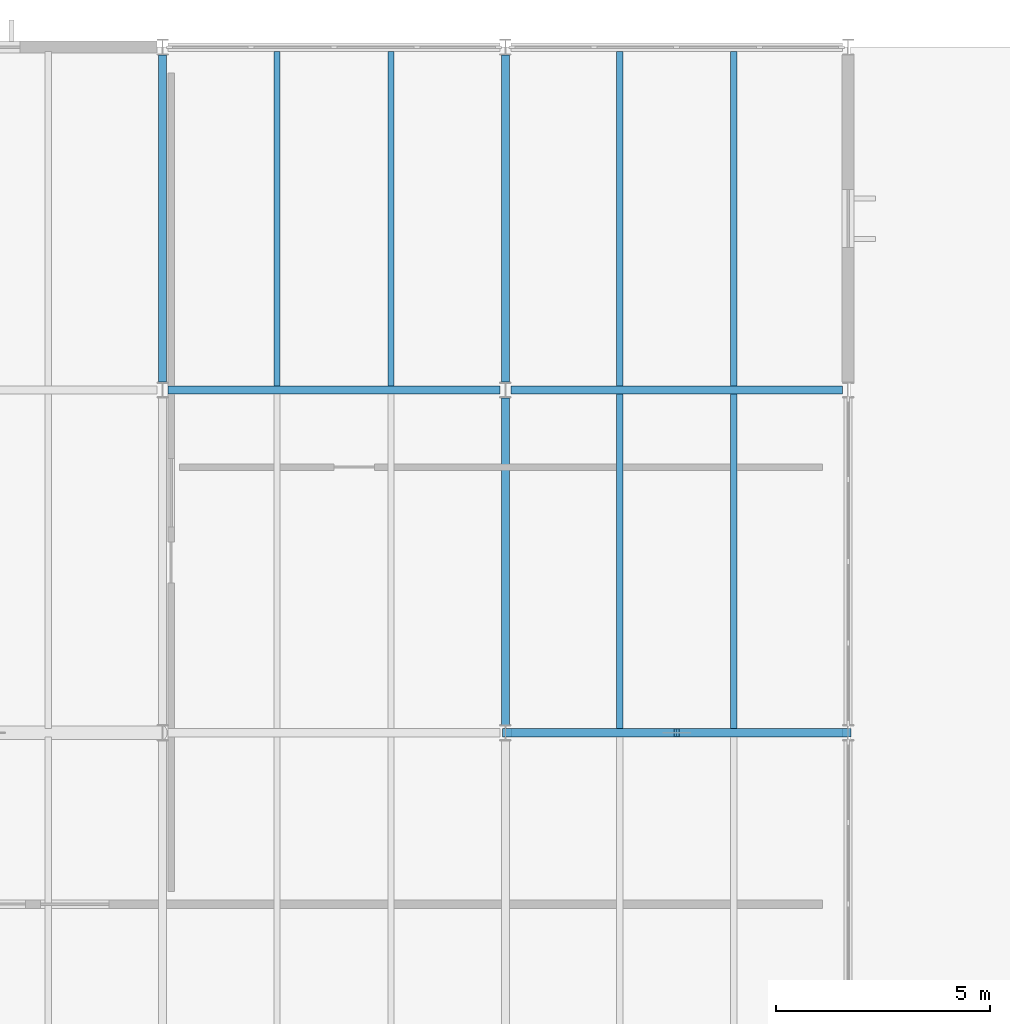
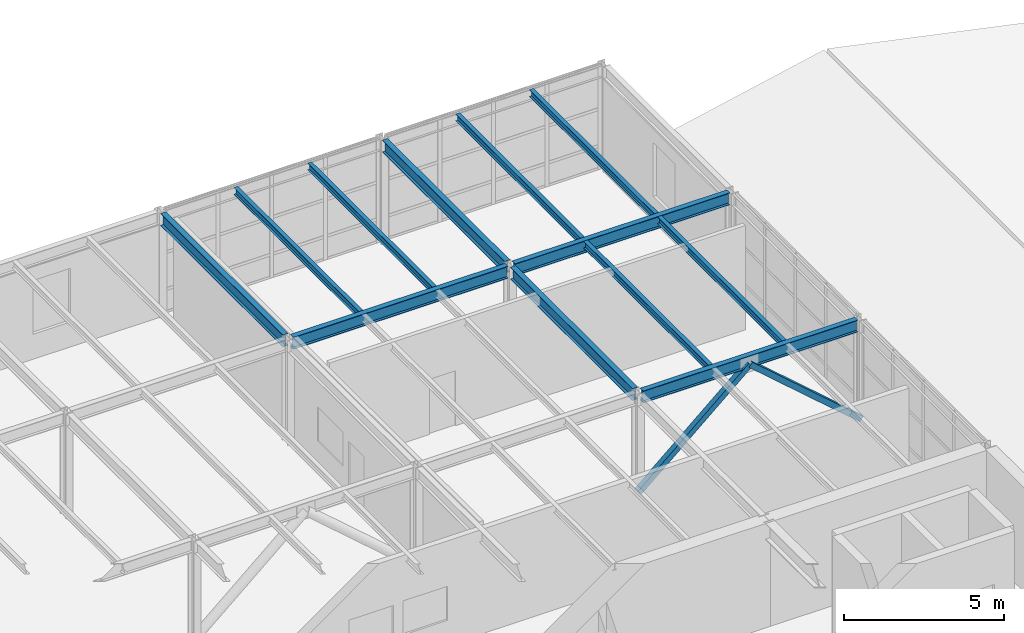
# One storey, part 10 of 20: 12 beams, 2 members.
"""IFC4 building model written with IfcOpenShell, lengths in metres."""

from ifc_helpers import new_model, si_unit, direction, frame, origin, origin_2d, place, context, subcontext, project, spatial, hollow_rectangle, i_section, extrude, material, material_profile, profile_set, type_object, element, save


model = new_model("IFC4")

# Units and contexts
model_context = context("Model", 3, precision=1e-05, world=origin(), true_north=direction((0.0, 1.0)))
body_context = subcontext(model_context, "Body", "Model", "MODEL_VIEW")
ifc_project = project(units=[si_unit("LENGTHUNIT", "METRE"), si_unit("AREAUNIT", "SQUARE_METRE"), si_unit("VOLUMEUNIT", "CUBIC_METRE"), si_unit("PLANEANGLEUNIT", "RADIAN"), si_unit("MASSUNIT", "GRAM", prefix="KILO")], contexts=[model_context])

# Site, building, storey
site_placement = place(None, origin())
site = spatial("IfcSite", under=ifc_project, at=site_placement, CompositionType="ELEMENT")
building_placement = place(site_placement, origin())
building = spatial("IfcBuilding", under=site, at=building_placement, Name="Varnela Railside Interchange", CompositionType="ELEMENT")
storey_placement = place(building_placement, frame((0.0, 0.0, 28.0)))
storey = spatial("IfcBuildingStorey", under=building, at=storey_placement, Name="L06", CompositionType="ELEMENT", Elevation=28.0)

# Beams
ifc_material = material(Name="Steel AR 350 (350 MPa)", Category="steel")
ifc_material_profile_1 = material_profile(ifc_material, i_section(OverallWidth=0.14794921875, OverallDepth=0.26611328125, WebThickness=0.007568359375, FlangeThickness=0.012939453125, at=origin_2d()), Name="W250x44.8")
ifc_profile_set_1 = profile_set([ifc_material_profile_1], Name="Steel AR 350 (350 MPa)")
beam_type_1 = type_object("IfcBeamType", Name="Composite Floor Joist J-05", PredefinedType="JOIST", material=ifc_profile_set_1)
for number, where, z_axis, x_axis, name in (
    (1, (22.669921875, 86.095947265625, 3.846923828125), (0.0, 1.0, 0.0), (-1.0, 0.0, 0.0), "Composite Floor Joist J-05 (L06) (BM-2660)"),
    (2, (25.330078125, 86.095947265625, 3.846923828125), (0.0, 1.0, 0.0), (-1.0, 0.0, 0.0), "Composite Floor Joist J-05 (L06) (BM-2661)"),
    (3, (30.669921875, 78.095947265625, 3.846923828125), (0.0, 1.0, 0.0), (-1.0, 0.0, 0.0), "Composite Floor Joist J-05 (L06) (BM-2674)"),
    (4, (33.330078125, 78.095947265625, 3.846923828125), (0.0, 1.0, 0.0), (-1.0, 0.0, 0.0), "Composite Floor Joist J-05 (L06) (BM-2675)"),
    (5, (30.669921875, 86.095947265625, 3.846923828125), (0.0, 1.0, 0.0), (-1.0, 0.0, 0.0), "Composite Floor Joist J-05 (L06) (BM-2668)"),
    (6, (33.330078125, 86.095947265625, 3.846923828125), (0.0, 1.0, 0.0), (-1.0, 0.0, 0.0), "Composite Floor Joist J-05 (L06) (BM-2669)"),
):
    element("IfcBeam", number, at=place(storey_placement, frame(where, z_axis=z_axis, x_axis=x_axis)), inside=storey, type_object=beam_type_1, Name=name, PredefinedType="JOIST", context=body_context, shape_type="SweptSolid", body=[
        extrude(i_section(OverallWidth=0.14794921875, OverallDepth=0.26611328125, WebThickness=0.007568359375, FlangeThickness=0.012939453125, at=origin_2d()), origin(), (0.0, 0.0, 1.0), 7.80810546875),
    ])
ifc_material_profile_2 = material_profile(ifc_material, i_section(OverallWidth=0.19189453125, OverallDepth=0.462890625, WebThickness=0.010498046875, FlangeThickness=0.017578125, at=origin_2d()), Name="W460x89")
ifc_profile_set_2 = profile_set([ifc_material_profile_2], Name="Steel AR 350 (350 MPa)")
beam_type_2 = type_object("IfcBeamType", Name="Composite Primary Beam B-20", PredefinedType="BEAM", material=ifc_profile_set_2)
beam_1_placement = place(storey_placement, frame((20.12841796875, 86.0, 3.74853515625), z_axis=(1.0, 0.0, 0.0), x_axis=(0.0, 1.0, 0.0)))
element("IfcBeam", 7, at=beam_1_placement, inside=storey, type_object=beam_type_2, Name="Composite Primary Beam B-20 (L06) (BM-2688)", PredefinedType="BEAM", context=body_context, shape_type="SweptSolid", body=[
    extrude(i_section(OverallWidth=0.19189453125, OverallDepth=0.462890625, WebThickness=0.010498046875, FlangeThickness=0.017578125, at=origin_2d()), origin(), (0.0, 0.0, 1.0), 7.7431640625),
])
ifc_material_profile_3 = material_profile(ifc_material, i_section(OverallWidth=0.18994140625, OverallDepth=0.45703125, WebThickness=0.009033203125, FlangeThickness=0.014404296875, at=origin_2d()), Name="W460x74")
ifc_profile_set_3 = profile_set([ifc_material_profile_3], Name="Steel AR 350 (350 MPa)")
beam_type_3 = type_object("IfcBeamType", Name="Composite Primary Beam B-21", PredefinedType="BEAM", material=ifc_profile_set_3)
beam_2_placement = place(storey_placement, frame((28.0, 78.181396484375, 3.75146484375), z_axis=(0.0, 1.0, 0.0), x_axis=(-1.0, 0.0, 0.0)))
element("IfcBeam", 8, at=beam_2_placement, inside=storey, type_object=beam_type_3, Name="Composite Primary Beam B-21 (L06) (BM-2712)", PredefinedType="BEAM", context=body_context, shape_type="SweptSolid", body=[
    extrude(i_section(OverallWidth=0.18994140625, OverallDepth=0.45703125, WebThickness=0.009033203125, FlangeThickness=0.014404296875, at=origin_2d()), origin(), (0.0, 0.0, 1.0), 7.63720703125),
])

# Members
ifc_material_profile_4 = material_profile(ifc_material, hollow_rectangle(XDim=0.199951171875, YDim=0.199951171875, WallThickness=0.012451171875, at=origin_2d()), Name="HSS 200x200x12.5")
ifc_profile_set_4 = profile_set([ifc_material_profile_4], Name="Steel AR 350 (350 MPa)")
member_type = type_object("IfcMemberType", Name="Lateral Chevron Brace BR-06", PredefinedType="BRACE", material=ifc_profile_set_4)
for number, where, z_axis, x_axis, name in (
    (9, (28.0, 78.0, 0.14990234375), (0.754444902764, 0.0, 0.656363381591), (0.0, 1.0, 0.0), "Lateral Chevron Brace BR-06 (L06) (MB-0182)"),
    (10, (36.0, 78.0, 0.14990234375), (-0.754444902764, 0.0, 0.656363381591), (0.0, -1.0, 0.0), "Lateral Chevron Brace BR-06 (L06) (MB-0183)"),
):
    element("IfcMember", number, at=place(storey_placement, frame(where, z_axis=z_axis, x_axis=x_axis)), inside=storey, type_object=member_type, Name=name, PredefinedType="BRACE", context=body_context, shape_type="SweptSolid", body=[
        extrude(hollow_rectangle(XDim=0.199951171875, YDim=0.199951171875, WallThickness=0.012451171875, at=origin_2d()), origin(), (0.0, 0.0, 1.0), 5.302001953125),
    ])

# Beams
ifc_material_profile_5 = material_profile(ifc_material, i_section(OverallWidth=0.19091796875, OverallDepth=0.4599609375, WebThickness=0.010009765625, FlangeThickness=0.01611328125, at=origin_2d()), Name="W460x82")
ifc_profile_set_5 = profile_set([ifc_material_profile_5], Name="Steel AR 350 (350 MPa)")
beam_type_4 = type_object("IfcBeamType", Name="Steel Perimeter Spandrel SP-01", PredefinedType="SPANDREL", material=ifc_profile_set_5)
for number, where, z_axis, x_axis, name in (
    (11, (28.12841796875, 78.0, 3.75), (1.0, 0.0, 0.0), (0.0, 1.0, 0.0), "Steel Perimeter Spandrel SP-01 (L06) (BM-2685)"),
    (12, (28.12841796875, 86.0, 3.75), (1.0, 0.0, 0.0), (0.0, 1.0, 0.0), "Steel Perimeter Spandrel SP-01 (L06) (BM-2689)"),
):
    element("IfcBeam", number, at=place(storey_placement, frame(where, z_axis=z_axis, x_axis=x_axis)), inside=storey, type_object=beam_type_4, Name=name, PredefinedType="SPANDREL", context=body_context, shape_type="SweptSolid", body=[
        extrude(i_section(OverallWidth=0.19091796875, OverallDepth=0.4599609375, WebThickness=0.010009765625, FlangeThickness=0.01611328125, at=origin_2d()), origin(), (0.0, 0.0, 1.0), 7.7431640625),
    ])
for number, where, z_axis, x_axis, name in (
    (13, (20.0, 86.181396484375, 3.75), (0.0, 1.0, 0.0), (-1.0, 0.0, 0.0), "Steel Perimeter Spandrel SP-01 (L06) (BM-2708)"),
    (14, (28.0, 86.181396484375, 3.75), (0.0, 1.0, 0.0), (-1.0, 0.0, 0.0), "Steel Perimeter Spandrel SP-01 (L06) (BM-2713)"),
):
    element("IfcBeam", number, at=place(storey_placement, frame(where, z_axis=z_axis, x_axis=x_axis)), inside=storey, type_object=beam_type_4, Name=name, PredefinedType="SPANDREL", context=body_context, shape_type="SweptSolid", body=[
        extrude(i_section(OverallWidth=0.19091796875, OverallDepth=0.4599609375, WebThickness=0.010009765625, FlangeThickness=0.01611328125, at=origin_2d()), origin(), (0.0, 0.0, 1.0), 7.63720703125),
    ])

save(model, "model.ifc")
